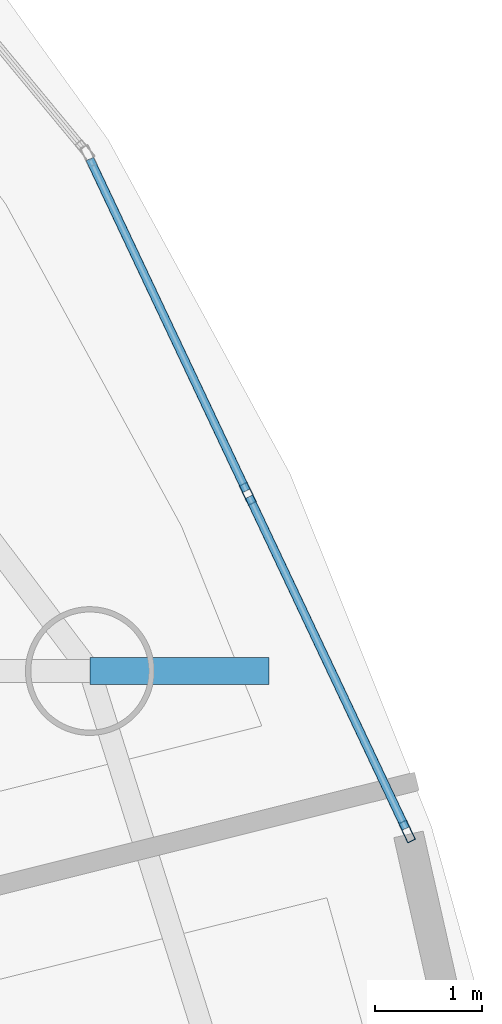
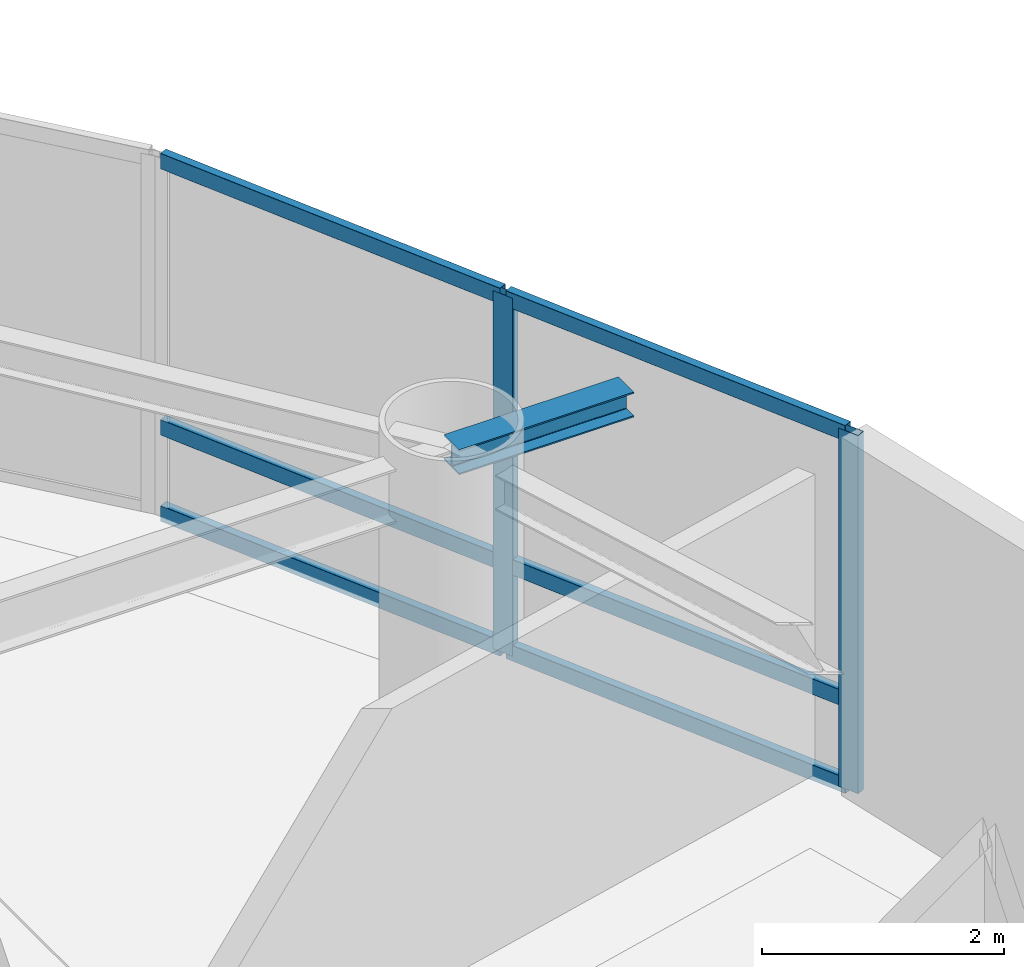
# One storey, part 8 of 20: 8 members, 1 beam, 1 element without a shape of its own.
"""IFC4 building model written with IfcOpenShell, lengths in metres."""

from ifc_helpers import new_model, si_unit, direction, frame, origin, origin_2d, place, context, subcontext, project, spatial, hollow_rectangle, i_section, extrude, material, layer, layer_set, material_profile, profile_set, type_object, element, aggregate, save


model = new_model("IFC4")

# Units and contexts
model_context = context("Model", 3, precision=1e-05, world=origin(), true_north=direction((0.0, 1.0)))
body_context = subcontext(model_context, "Body", "Model", "MODEL_VIEW")
ifc_project = project(units=[si_unit("LENGTHUNIT", "METRE"), si_unit("AREAUNIT", "SQUARE_METRE"), si_unit("VOLUMEUNIT", "CUBIC_METRE"), si_unit("PLANEANGLEUNIT", "RADIAN"), si_unit("MASSUNIT", "GRAM", prefix="KILO")], contexts=[model_context])

# Site, building, storey
site_placement = place(None, origin())
site = spatial("IfcSite", under=ifc_project, at=site_placement, CompositionType="ELEMENT")
building_placement = place(site_placement, origin())
building = spatial("IfcBuilding", under=site, at=building_placement, Name="Bramvorn Convention Spire", CompositionType="ELEMENT")
storey_placement = place(building_placement, frame((0.0, 0.0, 202.0)))
storey = spatial("IfcBuildingStorey", under=building, at=storey_placement, Name="L51", CompositionType="ELEMENT", Elevation=202.0)

# Beam
ifc_material_1 = material(Name="Steel CSA G40.21 Grade 350 (350W)", Category="steel")
ifc_material_profile_1 = material_profile(ifc_material_1, i_section(OverallWidth=0.25390625, OverallDepth=0.2529296875, WebThickness=0.008544921875, FlangeThickness=0.01416015625, FilletRadius=0.011962890625, at=origin_2d()))
ifc_profile_set_1 = profile_set([ifc_material_profile_1], Name="Steel CSA G40.21 Grade 350 (350W) - W250X73")
beam_type = type_object("IfcBeamType", Name="BM-W250X73", PredefinedType="BEAM", material=ifc_profile_set_1)
beam_placement = place(storey_placement, frame((56.21044921875, 32.327392578125, 3.493408203125), z_axis=(1.0, 0.0, 0.0), x_axis=(0.0, 1.0, 0.0)))
element("IfcBeam", 1, at=beam_placement, inside=storey, type_object=beam_type, Name="L51 slab-edge cantilever tip beam MC04", PredefinedType="BEAM", context=body_context, shape_type="SweptSolid", body=[
    extrude(i_section(OverallWidth=0.25390625, OverallDepth=0.2529296875, WebThickness=0.008544921875, FlangeThickness=0.01416015625, FilletRadius=0.011962890625, at=origin_2d()), origin(), (0.0, 0.0, 1.0), 1.669921875),
])

# Curtain wall, members
ifc_material_2 = material(Name="Anodised Bronze Unitised Curtain Wall", Category="aluminium")
ifc_layer = layer(ifc_material_2, 0.179931640625)
ifc_layer_set = layer_set([ifc_layer], Name="Anodised Bronze Unitised Curtain Wall - CW-OFF-FRIT")
curtain_wall_type = type_object("IfcCurtainWallType", Name="CW-OFF-FRIT", PredefinedType="USERDEFINED", material=ifc_layer_set)
curtain_wall_placement = place(storey_placement, origin())
curtain_wall = element("IfcCurtainWall", 2, at=curtain_wall_placement, inside=storey, type_object=curtain_wall_type, Name="L51 fritted glass curtain wall 05", ObjectType="UNITISED CURTAIN WALL", PredefinedType="USERDEFINED")
ifc_material_3 = material(Name="Anodised Bronze Aluminium 6063-T6", Category="aluminium")
ifc_material_profile_2 = material_profile(ifc_material_3, hollow_rectangle(XDim=0.080078125, YDim=0.199951171875, WallThickness=0.00390625, InnerFilletRadius=0.0009765625, OuterFilletRadius=0.00390625, at=origin_2d()))
ifc_profile_set_2 = profile_set([ifc_material_profile_2], Name="Anodised Bronze Aluminium 6063-T6 - CWM80X200")
member_type_1 = type_object("IfcMemberType", Name="CW-MUL-180", PredefinedType="MULLION", material=ifc_profile_set_2)
member_1_placement = place(storey_placement, frame((57.681640625, 33.97900390625, 0.0), z_axis=(0.0, 0.0, 1.0), x_axis=(0.904386459885, 0.426714343766, 0.0)))
member_1 = element("IfcMember", 3, at=member_1_placement, type_object=member_type_1, Name="CW3 mullion 2", PredefinedType="MULLION", context=body_context, shape_type="SweptSolid", body=[
    extrude(hollow_rectangle(XDim=0.080078125, YDim=0.199951171875, WallThickness=0.00390625, InnerFilletRadius=0.0009765625, OuterFilletRadius=0.00390625, at=origin_2d()), origin(), (0.0, 0.0, 1.0), 3.6201171875),
])
member_2_placement = place(storey_placement, frame((59.166015625, 30.8330078125, 0.0), z_axis=(0.0, 0.0, 1.0), x_axis=(0.904386459885, 0.426714343766, 0.0)))
member_2 = element("IfcMember", 4, at=member_2_placement, type_object=member_type_1, Name="CW3 mullion 3", PredefinedType="MULLION", context=body_context, shape_type="SweptSolid", body=[
    extrude(hollow_rectangle(XDim=0.080078125, YDim=0.199951171875, WallThickness=0.00390625, InnerFilletRadius=0.0009765625, OuterFilletRadius=0.00390625, at=origin_2d()), origin(), (0.0, 0.0, 1.0), 3.6201171875),
])
ifc_material_profile_3 = material_profile(ifc_material_3, hollow_rectangle(XDim=0.080078125, YDim=0.159912109375, WallThickness=0.00390625, InnerFilletRadius=0.0009765625, OuterFilletRadius=0.00390625, at=origin_2d()))
ifc_profile_set_3 = profile_set([ifc_material_profile_3], Name="Anodised Bronze Aluminium 6063-T6 - CWT80X160")
member_type_2 = type_object("IfcMemberType", Name="CW-TRN-150", PredefinedType="USERDEFINED", material=ifc_profile_set_3)
member_3_placement = place(storey_placement, frame((56.2099609375, 37.09814453125, 0.030029296875), z_axis=(0.426759748236, -0.904365035418, 0.0), x_axis=(0.904365035418, 0.426759748236, 0.0)))
member_3 = element("IfcMember", 5, at=member_3_placement, type_object=member_type_2, Name="CW3 transom 1.1", ObjectType="TRANSOM", PredefinedType="USERDEFINED", context=body_context, shape_type="SweptSolid", body=[
    extrude(hollow_rectangle(XDim=0.080078125, YDim=0.159912109375, WallThickness=0.00390625, InnerFilletRadius=0.0009765625, OuterFilletRadius=0.00390625, at=origin_2d()), origin(), (0.0, 0.0, 1.0), 3.418701171875),
])
member_4_placement = place(storey_placement, frame((56.2099609375, 37.09814453125, 0.89990234375), z_axis=(0.426759748236, -0.904365035418, 0.0), x_axis=(0.904365035418, 0.426759748236, 0.0)))
member_4 = element("IfcMember", 6, at=member_4_placement, type_object=member_type_2, Name="CW3 transom 1.2", ObjectType="TRANSOM", PredefinedType="USERDEFINED", context=body_context, shape_type="SweptSolid", body=[
    extrude(hollow_rectangle(XDim=0.080078125, YDim=0.159912109375, WallThickness=0.00390625, InnerFilletRadius=0.0009765625, OuterFilletRadius=0.00390625, at=origin_2d()), origin(), (0.0, 0.0, 1.0), 3.418701171875),
])
member_5_placement = place(storey_placement, frame((56.2099609375, 37.09814453125, 3.590087890625), z_axis=(0.426759748236, -0.904365035418, 0.0), x_axis=(0.904365035418, 0.426759748236, 0.0)))
member_5 = element("IfcMember", 7, at=member_5_placement, type_object=member_type_2, Name="CW3 transom 1.3", ObjectType="TRANSOM", PredefinedType="USERDEFINED", context=body_context, shape_type="SweptSolid", body=[
    extrude(hollow_rectangle(XDim=0.080078125, YDim=0.159912109375, WallThickness=0.00390625, InnerFilletRadius=0.0009765625, OuterFilletRadius=0.00390625, at=origin_2d()), origin(), (0.0, 0.0, 1.0), 3.418701171875),
])
member_6_placement = place(storey_placement, frame((57.6943359375, 33.951904296875, 0.030029296875), z_axis=(0.426759748236, -0.904365035418, 0.0), x_axis=(0.904365035418, 0.426759748236, 0.0)))
member_6 = element("IfcMember", 8, at=member_6_placement, type_object=member_type_2, Name="CW3 transom 2.1", ObjectType="TRANSOM", PredefinedType="USERDEFINED", context=body_context, shape_type="SweptSolid", body=[
    extrude(hollow_rectangle(XDim=0.080078125, YDim=0.159912109375, WallThickness=0.00390625, InnerFilletRadius=0.0009765625, OuterFilletRadius=0.00390625, at=origin_2d()), origin(), (0.0, 0.0, 1.0), 3.418701171875),
])
member_7_placement = place(storey_placement, frame((57.6943359375, 33.951904296875, 0.89990234375), z_axis=(0.426759748236, -0.904365035418, 0.0), x_axis=(0.904365035418, 0.426759748236, 0.0)))
member_7 = element("IfcMember", 9, at=member_7_placement, type_object=member_type_2, Name="CW3 transom 2.2", ObjectType="TRANSOM", PredefinedType="USERDEFINED", context=body_context, shape_type="SweptSolid", body=[
    extrude(hollow_rectangle(XDim=0.080078125, YDim=0.159912109375, WallThickness=0.00390625, InnerFilletRadius=0.0009765625, OuterFilletRadius=0.00390625, at=origin_2d()), origin(), (0.0, 0.0, 1.0), 3.418701171875),
])
member_8_placement = place(storey_placement, frame((57.6943359375, 33.951904296875, 3.590087890625), z_axis=(0.426759748236, -0.904365035418, 0.0), x_axis=(0.904365035418, 0.426759748236, 0.0)))
member_8 = element("IfcMember", 10, at=member_8_placement, type_object=member_type_2, Name="CW3 transom 2.3", ObjectType="TRANSOM", PredefinedType="USERDEFINED", context=body_context, shape_type="SweptSolid", body=[
    extrude(hollow_rectangle(XDim=0.080078125, YDim=0.159912109375, WallThickness=0.00390625, InnerFilletRadius=0.0009765625, OuterFilletRadius=0.00390625, at=origin_2d()), origin(), (0.0, 0.0, 1.0), 3.418701171875),
])
aggregate(curtain_wall, [member_1, member_2, member_3, member_4, member_5, member_6, member_7, member_8])

save(model, "model.ifc")
